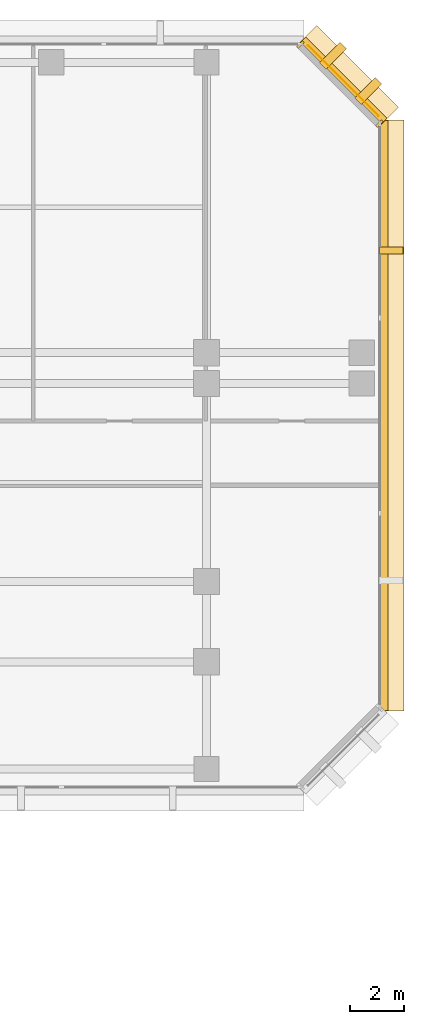
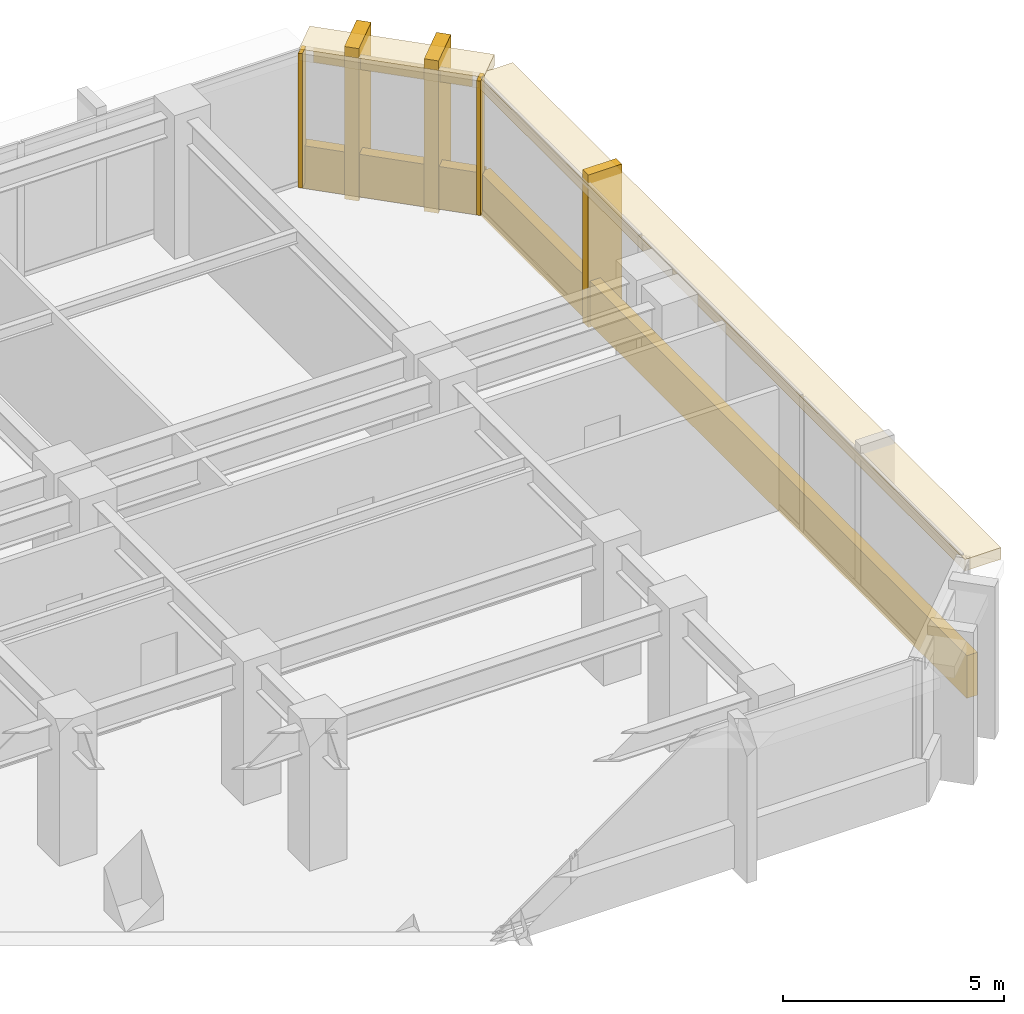
# One storey, part 13 of 13: 10 coverings.
"""IFC4 building model written with IfcOpenShell, lengths in metres."""

from ifc_helpers import new_model, si_unit, direction, frame, origin, origin_2d, place, context, subcontext, project, spatial, rectangle, extrude, material, layer, layer_set, type_object, element, save


model = new_model("IFC4")

# Units and contexts
model_context = context("Model", 3, precision=1e-05, world=origin(), true_north=direction((0.0, 1.0)))
body_context = subcontext(model_context, "Body", "Model", "MODEL_VIEW")
ifc_project = project(units=[si_unit("LENGTHUNIT", "METRE"), si_unit("AREAUNIT", "SQUARE_METRE"), si_unit("VOLUMEUNIT", "CUBIC_METRE"), si_unit("PLANEANGLEUNIT", "RADIAN"), si_unit("MASSUNIT", "GRAM", prefix="KILO")], contexts=[model_context])

# Site, building, storey
site_placement = place(None, origin())
site = spatial("IfcSite", under=ifc_project, at=site_placement, CompositionType="ELEMENT")
building_placement = place(site_placement, origin())
building = spatial("IfcBuilding", under=site, at=building_placement, Name="Kefirva Bronze Tower", CompositionType="ELEMENT")
storey_placement = place(building_placement, frame((0.0, 0.0, 69.9599609375)))
storey = spatial("IfcBuildingStorey", under=building, at=storey_placement, Name="L16", CompositionType="ELEMENT", Elevation=69.9599609375)

# Coverings
ifc_material = material(Name="Bronze anodised aluminium", Category="aluminium")
ifc_layer_1 = layer(ifc_material, 0.02001953125, Name="Bronze anodised aluminium")
ifc_layer_set_1 = layer_set([ifc_layer_1], Name="Bronze anodised aluminium")
covering_type_1 = type_object("IfcCoveringType", Name="Anodised Bronze Spandrel Cladding 20mm", PredefinedType="CLADDING", material=ifc_layer_set_1)
covering_1_placement = place(storey_placement, frame((56.0400390625, 32.0, -0.16015625), z_axis=(0.0, 0.0, 1.0), x_axis=(0.0, 1.0, 0.0)))
element("IfcCovering", 1, at=covering_1_placement, inside=storey, type_object=covering_type_1, Name="L16 Streamline Horizontal Spandrel Band 6", PredefinedType="CLADDING", context=body_context, shape_type="SweptSolid", body=[
    extrude(rectangle(XDim=22.0400390625, YDim=0.280029296875, at=origin_2d()), origin(), (0.0, 0.0, 1.0), 1.179931640625),
])
covering_2_placement = place(storey_placement, frame((54.507080078125, 44.507080078125, 3.2900390625), z_axis=(0.0, 0.0, 1.0), x_axis=(-0.707106781187, 0.707106781187, 0.0)))
element("IfcCovering", 2, at=covering_2_placement, inside=storey, type_object=covering_type_1, Name="L16 Bronze Spandrel Cladding 5", PredefinedType="CLADDING", context=body_context, shape_type="SweptSolid", body=[
    extrude(rectangle(XDim=3.719482421875, YDim=0.02001953125, at=origin_2d()), origin(), (0.0, 0.0, 1.0), 0.39990234375),
])
for number, where, z_axis, x_axis, name in (
    (3, (55.862060546875, 42.91162109375, 0.0), (0.0, 0.0, 1.0), (-0.707106781187, 0.707106781187, 0.0), "L16 Facade Joint Closure Panel 5S"),
    (4, (52.91162109375, 45.862060546875, 0.0), (0.0, 0.0, 1.0), (-0.707106781187, 0.707106781187, 0.0), "L16 Facade Joint Closure Panel 5E"),
):
    element("IfcCovering", number, at=place(storey_placement, frame(where, z_axis=z_axis, x_axis=x_axis)), inside=storey, type_object=covering_type_1, Name=name, PredefinedType="CLADDING", context=body_context, shape_type="SweptSolid", body=[
        extrude(rectangle(XDim=0.10009765625, YDim=0.320068359375, at=origin_2d()), origin(), (0.0, 0.0, 1.0), 3.7099609375),
    ])
covering_3_placement = place(storey_placement, frame((54.5283203125, 44.5283203125, -0.16015625), z_axis=(0.0, 0.0, 1.0), x_axis=(-0.707106781187, 0.707106781187, 0.0)))
element("IfcCovering", 5, at=covering_3_placement, inside=storey, type_object=covering_type_1, Name="L16 Streamline Horizontal Spandrel Band 7", PredefinedType="CLADDING", context=body_context, shape_type="SweptSolid", body=[
    extrude(rectangle(XDim=4.28271484375, YDim=0.280029296875, at=origin_2d()), origin(), (0.0, 0.0, 1.0), 1.179931640625),
])
ifc_layer_2 = layer(ifc_material, 0.179931640625, Name="Bronze anodised aluminium")
ifc_layer_set_2 = layer_set([ifc_layer_2], Name="Bronze anodised aluminium")
covering_type_2 = type_object("IfcCoveringType", Name="Streamline Bronze Sunshade Eyebrow Cladding 180mm", PredefinedType="CLADDING", material=ifc_layer_set_2)
covering_4_placement = place(storey_placement, frame((56.31005859375, 32.0, 3.39013671875), z_axis=(0.0, 0.0, 1.0), x_axis=(0.0, 1.0, 0.0)))
element("IfcCovering", 6, at=covering_4_placement, inside=storey, type_object=covering_type_2, Name="L16 Streamline Bronze Sunshade Eyebrow 6", PredefinedType="CLADDING", context=body_context, shape_type="SweptSolid", body=[
    extrude(rectangle(XDim=22.080078125, YDim=0.93994140625, at=origin_2d()), origin(), (0.0, 0.0, 1.0), 0.320068359375),
])
covering_5_placement = place(storey_placement, frame((54.71923828125, 44.71923828125, 3.39013671875), z_axis=(0.0, 0.0, 1.0), x_axis=(-0.707106781187, 0.707106781187, 0.0)))
element("IfcCovering", 7, at=covering_5_placement, inside=storey, type_object=covering_type_2, Name="L16 Streamline Bronze Sunshade Eyebrow 7", PredefinedType="CLADDING", context=body_context, shape_type="SweptSolid", body=[
    extrude(rectangle(XDim=4.322509765625, YDim=0.93994140625, at=origin_2d()), origin(), (0.0, 0.0, 1.0), 0.320068359375),
])
ifc_layer_3 = layer(ifc_material, 0.260009765625, Name="Bronze anodised aluminium")
ifc_layer_set_3 = layer_set([ifc_layer_3], Name="Bronze anodised aluminium")
covering_type_3 = type_object("IfcCoveringType", Name="Unbroken Bronze Buttress Fin Cladding 260mm", PredefinedType="CLADDING", material=ifc_layer_set_3)
covering_6_placement = place(storey_placement, frame((56.300048828125, 38.159912109375, -0.25), z_axis=(0.0, 0.0, 1.0), x_axis=(0.0, 1.0, 0.0)))
element("IfcCovering", 8, at=covering_6_placement, inside=storey, type_object=covering_type_3, Name="L16 Unbroken Vertical Bronze Rib Fin 16", PredefinedType="CLADDING", context=body_context, shape_type="SweptSolid", body=[
    extrude(rectangle(XDim=0.260009765625, YDim=0.8798828125, at=origin_2d()), origin(), (0.0, 0.0, 1.0), 4.2099609375),
])
for number, where, z_axis, x_axis, name in (
    (9, (55.44287109375, 44.122802734375, -0.25), (0.0, 0.0, 1.0), (-0.707106781187, 0.707106781187, 0.0), "L16 Chamfered Corner Buttress Fin Cladding 17"),
    (10, (54.122802734375, 45.44287109375, -0.25), (0.0, 0.0, 1.0), (-0.707106781187, 0.707106781187, 0.0), "L16 Chamfered Corner Buttress Fin Cladding 18"),
):
    element("IfcCovering", number, at=place(storey_placement, frame(where, z_axis=z_axis, x_axis=x_axis)), inside=storey, type_object=covering_type_3, Name=name, PredefinedType="CLADDING", context=body_context, shape_type="SweptSolid", body=[
        extrude(rectangle(XDim=0.340087890625, YDim=1.080078125, at=origin_2d()), origin(), (0.0, 0.0, 1.0), 4.2099609375),
    ])

save(model, "model.ifc")
